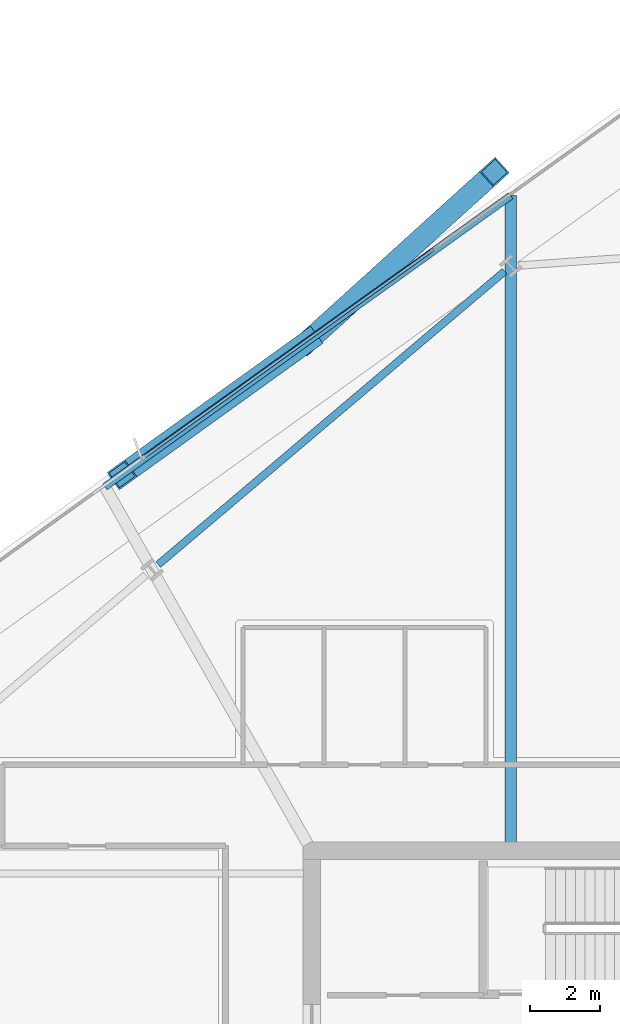
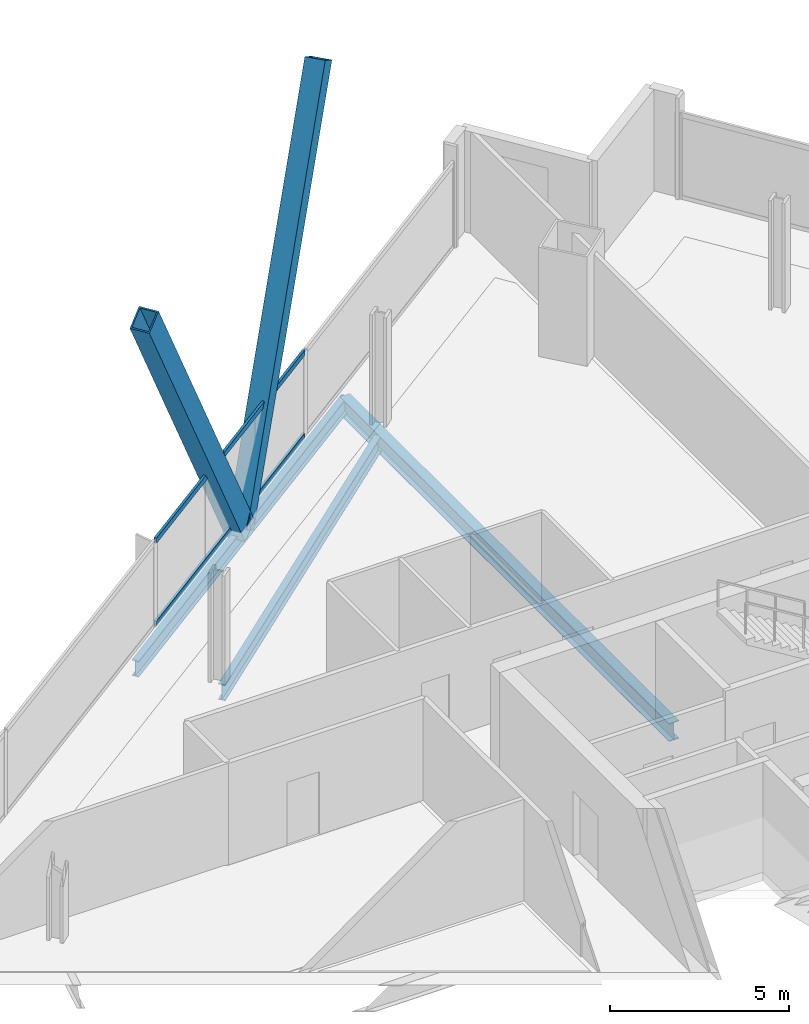
# One storey, part 15 of 33: 4 members, 3 beams, 1 element without a shape of its own.
"""IFC4 building model written with IfcOpenShell, lengths in metres."""

from ifc_helpers import new_model, si_unit, direction, frame, origin, origin_2d, place, context, subcontext, project, spatial, hollow_rectangle, i_section, extrude, material, material_profile, profile_set, type_object, element, aggregate, save


model = new_model("IFC4")

# Units and contexts
model_context = context("Model", 3, precision=1e-05, world=origin(), true_north=direction((0.0, 1.0)))
body_context = subcontext(model_context, "Body", "Model", "MODEL_VIEW")
ifc_project = project(units=[si_unit("LENGTHUNIT", "METRE"), si_unit("AREAUNIT", "SQUARE_METRE"), si_unit("VOLUMEUNIT", "CUBIC_METRE"), si_unit("PLANEANGLEUNIT", "RADIAN"), si_unit("MASSUNIT", "GRAM", prefix="KILO")], contexts=[model_context])

# Site, building, storey
site_placement = place(None, origin())
site = spatial("IfcSite", under=ifc_project, at=site_placement, CompositionType="ELEMENT")
building_placement = place(site_placement, origin())
building = spatial("IfcBuilding", under=site, at=building_placement, Name="Haldenkirk Collegiate Tower", CompositionType="ELEMENT")
storey_placement = place(building_placement, frame((0.0, 0.0, 148.199951171875)))
storey = spatial("IfcBuildingStorey", under=building, at=storey_placement, Name="L36", CompositionType="ELEMENT", Elevation=148.199951171875)

# Beams
ifc_material_1 = material(Name="Steel ASTM A992 Grade 50", Category="steel")
ifc_material_profile_1 = material_profile(ifc_material_1, i_section(OverallWidth=0.324951171875, OverallDepth=0.615966796875, WebThickness=0.013916015625, FlangeThickness=0.021484375, at=origin_2d()), Name="W24X117")
ifc_profile_set_1 = profile_set([ifc_material_profile_1], Name="Steel ASTM A992 Grade 50")
beam_type_1 = type_object("IfcBeamType", Name="BM-GIRDER-W24X117", PredefinedType="BEAM", material=ifc_profile_set_1)
beam_1_placement = place(storey_placement, frame((32.657470703125, 52.62060546875, -0.597900390625), z_axis=(0.0, -1.0, 0.0), x_axis=(1.0, 0.0, 0.0)))
element("IfcBeam", 1, at=beam_1_placement, inside=storey, type_object=beam_type_1, Name="L36 primary floor girder 11", PredefinedType="BEAM", context=body_context, shape_type="SweptSolid", body=[
    extrude(i_section(OverallWidth=0.324951171875, OverallDepth=0.615966796875, WebThickness=0.013916015625, FlangeThickness=0.021484375, at=origin_2d()), origin(), (0.0, 0.0, 1.0), 18.390625),
])
ifc_material_profile_2 = material_profile(ifc_material_1, i_section(OverallWidth=0.2119140625, OverallDepth=0.5439453125, WebThickness=0.01318359375, FlangeThickness=0.021240234375, at=origin_2d()), Name="W21X83")
ifc_profile_set_2 = profile_set([ifc_material_profile_2], Name="Steel ASTM A992 Grade 50")
beam_type_2 = type_object("IfcBeamType", Name="BM-SPANDREL-W21X83", PredefinedType="SPANDREL", material=ifc_profile_set_2)
beam_2_placement = place(storey_placement, frame((32.482666015625, 50.471435546875, -0.56201171875), z_axis=(-0.763233335078, -0.646122957514, 0.0), x_axis=(0.646122957514, -0.763233335078, 0.0)))
element("IfcBeam", 2, at=beam_2_placement, inside=storey, type_object=beam_type_2, Name="L36 perimeter spandrel beam 10", PredefinedType="SPANDREL", context=body_context, shape_type="SweptSolid", body=[
    extrude(i_section(OverallWidth=0.2119140625, OverallDepth=0.5439453125, WebThickness=0.01318359375, FlangeThickness=0.021240234375, at=origin_2d()), origin(), (0.0, 0.0, 1.0), 12.898193359375),
])
beam_3_placement = place(storey_placement, frame((32.657470703125, 52.62060546875, -0.56201171875), z_axis=(-0.812594038582, -0.582830102569, 0.0), x_axis=(0.582830102569, -0.812594038582, 0.0)))
element("IfcBeam", 3, at=beam_3_placement, inside=storey, type_object=beam_type_2, Name="L36 outer facade edge beam 3", PredefinedType="SPANDREL", context=body_context, shape_type="SweptSolid", body=[
    extrude(i_section(OverallWidth=0.2119140625, OverallDepth=0.5439453125, WebThickness=0.01318359375, FlangeThickness=0.021240234375, at=origin_2d()), origin(), (0.0, 0.0, 1.0), 14.19287109375),
])

# Curtain wall, members
ifc_material_2 = material(Name="Anodised architectural bronze aluminium", Category="aluminium")
curtain_wall_type = type_object("IfcCurtainWallType", Name="CW-SYS1-CONVEX-LOW", PredefinedType="USERDEFINED", material=ifc_material_2)
curtain_wall_placement = place(storey_placement, origin())
curtain_wall = element("IfcCurtainWall", 4, at=curtain_wall_placement, inside=storey, type_object=curtain_wall_type, Name="L36 Lower tower convex bronze-framed unitised curtain wall", ObjectType="UNITISED CURTAIN WALL", PredefinedType="USERDEFINED")
ifc_material_profile_3 = material_profile(ifc_material_2, hollow_rectangle(XDim=0.080078125, YDim=0.179931640625, WallThickness=0.0048828125, at=origin_2d()), Name="CW-TRN-1A")
ifc_profile_set_3 = profile_set([ifc_material_profile_3], Name="Anodised architectural bronze aluminium")
member_type_1 = type_object("IfcMemberType", Name="CW-TRN-1A", PredefinedType="USERDEFINED", material=ifc_profile_set_3)
member_1_placement = place(storey_placement, frame((22.26611328125, 45.216796875, 0.0400390625), z_axis=(0.812585179068, 0.582842454493, 0.0), x_axis=(-0.582842454493, 0.812585179068, 0.0)))
member_1 = element("IfcMember", 5, at=member_1_placement, type_object=member_type_1, Name="CW-1A transom 3.1", ObjectType="TRANSOM", PredefinedType="USERDEFINED", context=body_context, shape_type="SweptSolid", body=[
    extrude(hollow_rectangle(XDim=0.080078125, YDim=0.179931640625, WallThickness=0.0048828125, at=origin_2d()), origin(), (0.0, 0.0, 1.0), 10.06982421875),
])
member_2_placement = place(storey_placement, frame((22.26611328125, 45.216796875, 2.87109375), z_axis=(0.812585179068, 0.582842454493, 0.0), x_axis=(-0.582842454493, 0.812585179068, 0.0)))
member_2 = element("IfcMember", 6, at=member_2_placement, type_object=member_type_1, Name="CW-1A transom 3.2", ObjectType="TRANSOM", PredefinedType="USERDEFINED", context=body_context, shape_type="SweptSolid", body=[
    extrude(hollow_rectangle(XDim=0.080078125, YDim=0.179931640625, WallThickness=0.0048828125, at=origin_2d()), origin(), (0.0, 0.0, 1.0), 10.06982421875),
])
aggregate(curtain_wall, [member_1, member_2])

# Members
ifc_material_3 = material(Name="Steel ASTM A572 Grade 50", Category="steel")
ifc_material_profile_4 = material_profile(ifc_material_3, hollow_rectangle(XDim=0.60009765625, YDim=0.719970703125, WallThickness=0.044921875, at=origin_2d()), Name="BOX720X600X45")
ifc_profile_set_4 = profile_set([ifc_material_profile_4], Name="Steel ASTM A572 Grade 50")
member_type_2 = type_object("IfcMemberType", Name="MBR-MEGABRACE-BOX720X600X45", PredefinedType="BRACE", material=ifc_profile_set_4)
member_3_placement = place(storey_placement, frame((26.890869140625, 48.484619140625, -0.300048828125), z_axis=(0.397604518849, 0.360413215124, 0.843808604456), x_axis=(-0.671605486579, 0.74090894879, 0.0)))
element("IfcMember", 7, at=member_3_placement, inside=storey, type_object=member_type_2, Name="Perimeter Mega Brace Z3 L36-L38 NL", PredefinedType="BRACE", context=body_context, shape_type="SweptSolid", body=[
    extrude(hollow_rectangle(XDim=0.60009765625, YDim=0.719970703125, WallThickness=0.044921875, at=origin_2d()), origin(), (0.0, 0.0, 1.0), 13.33251953125),
])
member_4_placement = place(storey_placement, frame((26.890869140625, 48.484619140625, -0.300048828125), z_axis=(-0.40637215506, -0.291964902787, 0.86580492441), x_axis=(0.583484388549, -0.812124355206, 0.0)))
element("IfcMember", 8, at=member_4_placement, inside=storey, type_object=member_type_2, Name="Perimeter Mega Brace Z3 L36-L38 NR", PredefinedType="BRACE", context=body_context, shape_type="SweptSolid", body=[
    extrude(hollow_rectangle(XDim=0.60009765625, YDim=0.719970703125, WallThickness=0.044921875, at=origin_2d()), origin(), (0.0, 0.0, 1.0), 12.99365234375),
])

save(model, "model.ifc")
